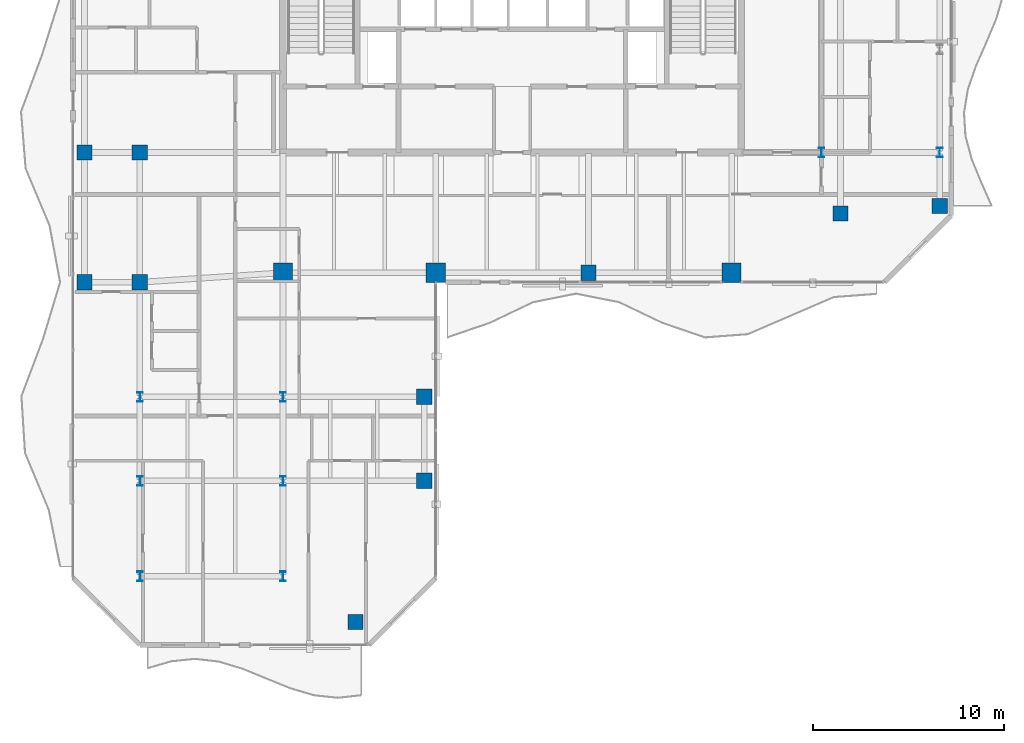
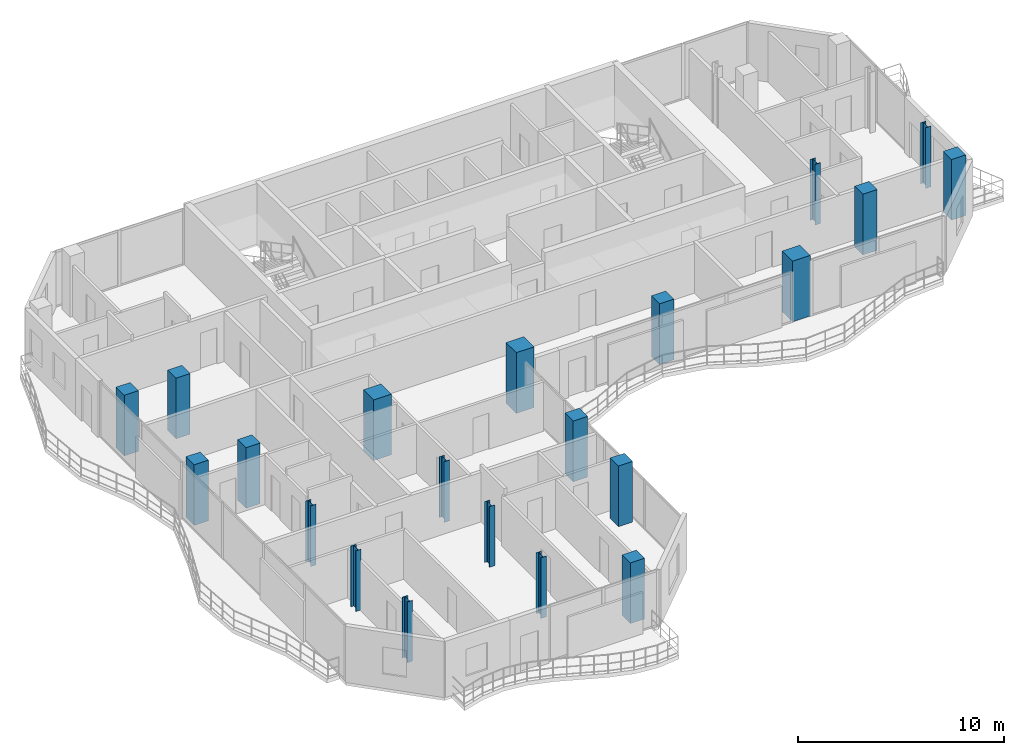
# One storey, part 1 of 23: 21 columns.
"""IFC4 building model written with IfcOpenShell, lengths in metres."""

from ifc_helpers import new_model, si_unit, direction, frame, origin, origin_2d, place, context, subcontext, project, spatial, rectangle, i_section, extrude, material, material_profile, profile_set, type_object, element, save


model = new_model("IFC4")

# Units and contexts
model_context = context("Model", 3, precision=1e-05, world=origin(), true_north=direction((0.0, 1.0)))
body_context = subcontext(model_context, "Body", "Model", "MODEL_VIEW")
ifc_project = project(units=[si_unit("LENGTHUNIT", "METRE"), si_unit("AREAUNIT", "SQUARE_METRE"), si_unit("VOLUMEUNIT", "CUBIC_METRE"), si_unit("PLANEANGLEUNIT", "RADIAN"), si_unit("MASSUNIT", "GRAM", prefix="KILO")], contexts=[model_context])

# Site, building, storey
site_placement = place(None, origin())
site = spatial("IfcSite", under=ifc_project, at=site_placement, CompositionType="ELEMENT")
building_placement = place(site_placement, origin())
building = spatial("IfcBuilding", under=site, at=building_placement, Name="Catumbela Crestline Tower", CompositionType="ELEMENT")
storey_placement = place(building_placement, frame((0.0, 0.0, 165.0)))
storey = spatial("IfcBuildingStorey", under=building, at=storey_placement, Name="L42", CompositionType="ELEMENT", Elevation=165.0)

# Columns
ifc_material_1 = material(Name="Concrete C50/60", Category="concrete")
ifc_material_profile_1 = material_profile(ifc_material_1, rectangle(XDim=1.0, YDim=1.0, at=origin_2d()), Name="RC 1000x1000")
ifc_profile_set_1 = profile_set([ifc_material_profile_1], Name="Concrete C50/60")
column_type_1 = type_object("IfcColumnType", Name="C-RC1000-C50", PredefinedType="COLUMN", material=ifc_profile_set_1)
for number, where, z_axis, x_axis, name in (
    (1, (16.0, 24.5, 0.0), (0.0, 0.0, 1.0), (1.0, 0.0, 0.0), "L42 Column C-16-24 (RC 1000x1000)"),
    (2, (24.0, 24.5, 0.0), (0.0, 0.0, 1.0), (1.0, 0.0, 0.0), "L42 Column C-24-24 (RC 1000x1000)"),
    (3, (39.5, 24.5, 0.0), (0.0, 0.0, 1.0), (1.0, 0.0, 0.0), "L42 Column C-40-24 (RC 1000x1000)"),
):
    element("IfcColumn", number, at=place(storey_placement, frame(where, z_axis=z_axis, x_axis=x_axis)), inside=storey, type_object=column_type_1, Name=name, PredefinedType="COLUMN", context=body_context, shape_type="SweptSolid", body=[
        extrude(rectangle(XDim=1.0, YDim=1.0, at=origin_2d()), origin(), (0.0, 0.0, 1.0), 3.6),
    ])
ifc_material_profile_2 = material_profile(ifc_material_1, rectangle(XDim=0.8, YDim=0.8, at=origin_2d()), Name="RC 800x800")
ifc_profile_set_2 = profile_set([ifc_material_profile_2], Name="Concrete C50/60")
column_type_2 = type_object("IfcColumnType", Name="C-RC800-C50", PredefinedType="COLUMN", material=ifc_profile_set_2)
for number, where, z_axis, x_axis, name in (
    (4, (8.5, 24.0, 0.0), (0.0, 0.0, 1.0), (1.0, 0.0, 0.0), "L42 Column C-08-24 (RC 800x800)"),
    (5, (32.0, 24.5, 0.0), (0.0, 0.0, 1.0), (1.0, 0.0, 0.0), "L42 Column C-32-24 (RC 800x800)"),
    (6, (5.6, 24.0, 0.0), (0.0, 0.0, 1.0), (1.0, 0.0, 0.0), "L42 Column C-05-24 (RC 800x800)"),
    (7, (5.6, 30.8, 0.0), (0.0, 0.0, 1.0), (1.0, 0.0, 0.0), "L42 Column C-05-31 (RC 800x800)"),
    (8, (8.5, 30.8, 0.0), (0.0, 0.0, 1.0), (1.0, 0.0, 0.0), "L42 Column C-08-31 (RC 800x800)"),
    (9, (45.2, 27.6, 0.0), (0.0, 0.0, 1.0), (1.0, 0.0, 0.0), "L42 Column C-46-24 (RC 800x800)"),
    (10, (50.4, 28.0, 0.0), (0.0, 0.0, 1.0), (1.0, 0.0, 0.0), "L42 Column C-51-24 (RC 800x800)"),
    (11, (19.8, 6.2, 0.0), (0.0, 0.0, 1.0), (1.0, 0.0, 0.0), "L42 Column C-24-05 (RC 800x800)"),
    (12, (23.4, 13.6, 0.0), (0.0, 0.0, 1.0), (1.0, 0.0, 0.0), "L42 Column C-24-10 (RC 800x800)"),
    (13, (23.4, 18.0, 0.0), (0.0, 0.0, 1.0), (1.0, 0.0, 0.0), "L42 Column C-24-16 (RC 800x800)"),
):
    element("IfcColumn", number, at=place(storey_placement, frame(where, z_axis=z_axis, x_axis=x_axis)), inside=storey, type_object=column_type_2, Name=name, PredefinedType="COLUMN", context=body_context, shape_type="SweptSolid", body=[
        extrude(rectangle(XDim=0.8, YDim=0.8, at=origin_2d()), origin(), (0.0, 0.0, 1.0), 3.6),
    ])
ifc_material_2 = material(Name="Structural steel S355J2", Category="steel")
ifc_material_profile_3 = material_profile(ifc_material_2, i_section(OverallWidth=0.3, OverallDepth=0.5, WebThickness=0.0145, FlangeThickness=0.028, FilletRadius=0.027, at=origin_2d()), Name="HEB 500")
ifc_profile_set_3 = profile_set([ifc_material_profile_3], Name="Structural steel S355J2")
column_type_3 = type_object("IfcColumnType", Name="C-ST-HEB500", PredefinedType="COLUMN", material=ifc_profile_set_3)
for number, where, z_axis, x_axis, name in (
    (14, (8.5, 8.6, 0.0), (0.0, 0.0, 1.0), (1.0, 0.0, 0.0), "L42 Column CT-05-05 (HEB 500)"),
    (15, (16.0, 8.6, 0.0), (0.0, 0.0, 1.0), (1.0, 0.0, 0.0), "L42 Column CT-14-05 (HEB 500)"),
    (16, (8.5, 13.6, 0.0), (0.0, 0.0, 1.0), (1.0, 0.0, 0.0), "L42 Column CT-05-10 (HEB 500)"),
    (17, (16.0, 13.6, 0.0), (0.0, 0.0, 1.0), (1.0, 0.0, 0.0), "L42 Column CT-14-10 (HEB 500)"),
    (18, (8.5, 18.0, 0.0), (0.0, 0.0, 1.0), (1.0, 0.0, 0.0), "L42 Column CT-05-16 (HEB 500)"),
    (19, (16.0, 18.0, 0.0), (0.0, 0.0, 1.0), (1.0, 0.0, 0.0), "L42 Column CT-14-16 (HEB 500)"),
    (20, (44.2, 30.8, 0.0), (0.0, 0.0, 1.0), (1.0, 0.0, 0.0), "L42 Column CT-46-31 (HEB 500)"),
    (21, (50.4, 30.8, 0.0), (0.0, 0.0, 1.0), (1.0, 0.0, 0.0), "L42 Column CT-51-31 (HEB 500)"),
):
    element("IfcColumn", number, at=place(storey_placement, frame(where, z_axis=z_axis, x_axis=x_axis)), inside=storey, type_object=column_type_3, Name=name, PredefinedType="COLUMN", context=body_context, shape_type="SweptSolid", body=[
        extrude(i_section(OverallWidth=0.3, OverallDepth=0.5, WebThickness=0.0145, FlangeThickness=0.028, FilletRadius=0.027, at=origin_2d()), origin(), (0.0, 0.0, 1.0), 3.6),
    ])

save(model, "model.ifc")
